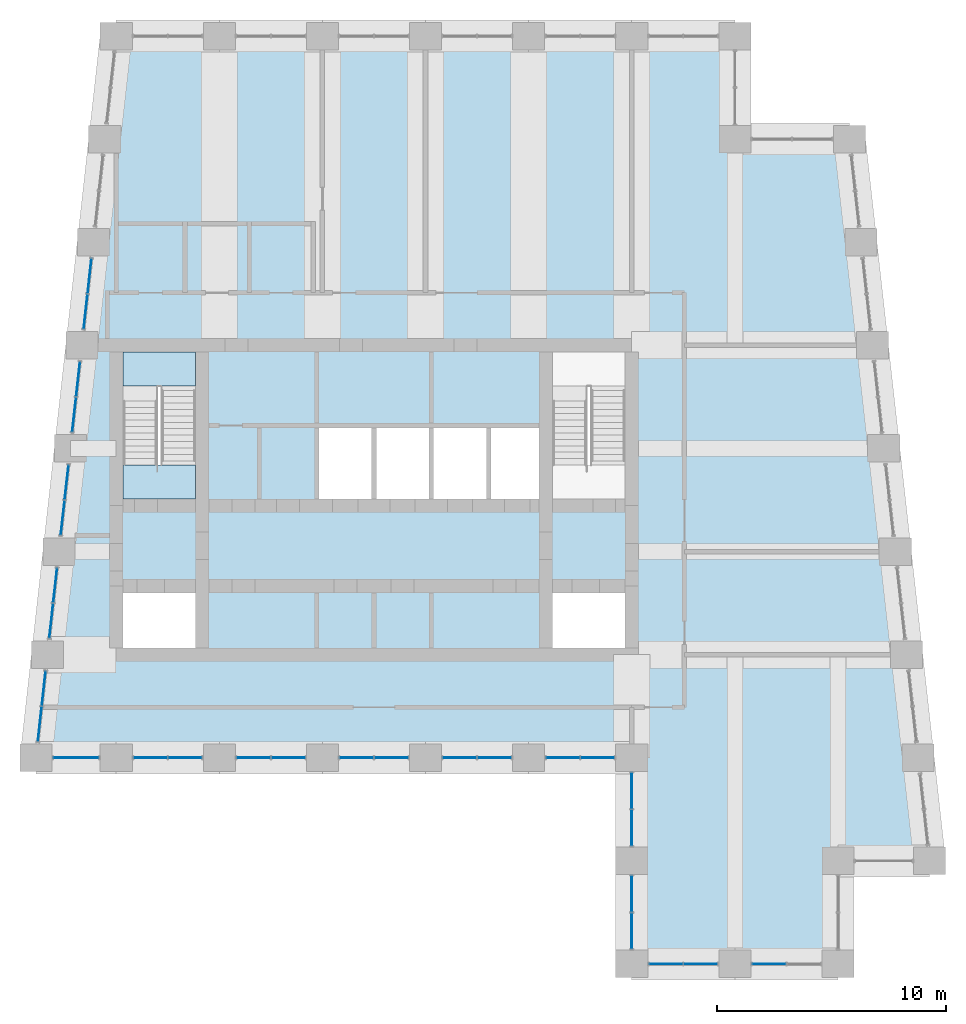
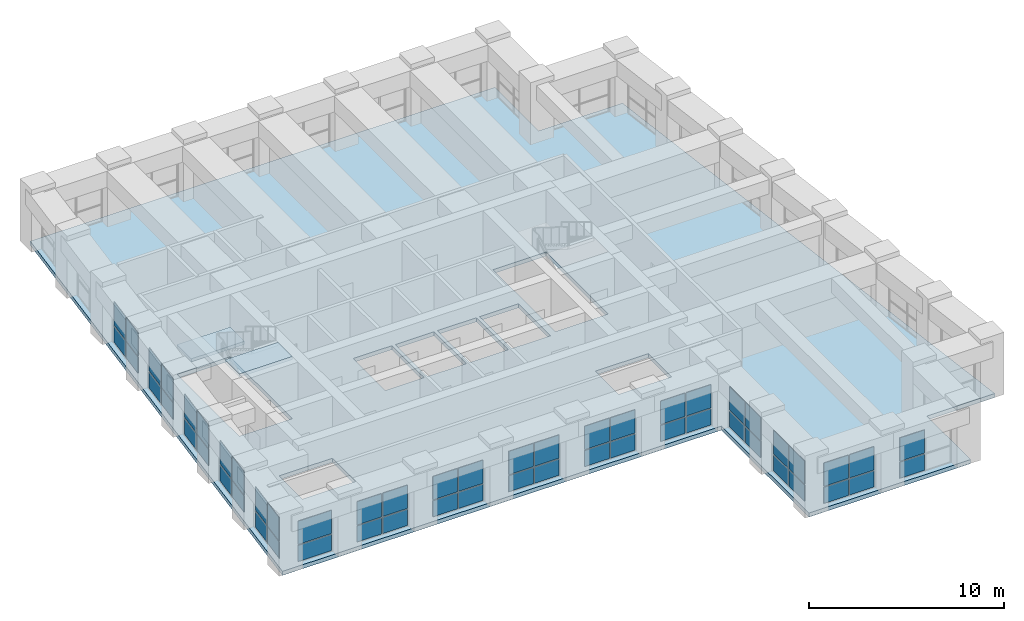
# One storey, part 10 of 15: 56 plates, 3 slabs, 16 elements without a shape of their own.
"""IFC4 building model written with IfcOpenShell, lengths in metres."""

from ifc_helpers import new_model, si_unit, direction, frame, origin, origin_2d, place, context, subcontext, project, spatial, polyline, rectangle, outline, extrude, material, layer, layer_set, type_object, element, aggregate, save


model = new_model("IFC4")

# Units and contexts
model_context = context("Model", 3, precision=1e-05, world=origin(), true_north=direction((0.0, 1.0)))
body_context = subcontext(model_context, "Body", "Model", "MODEL_VIEW")
ifc_project = project(units=[si_unit("LENGTHUNIT", "METRE"), si_unit("AREAUNIT", "SQUARE_METRE"), si_unit("VOLUMEUNIT", "CUBIC_METRE"), si_unit("PLANEANGLEUNIT", "RADIAN"), si_unit("MASSUNIT", "GRAM", prefix="KILO")], contexts=[model_context])

# Site, building, storey
site_placement = place(None, origin())
site = spatial("IfcSite", under=ifc_project, at=site_placement, CompositionType="ELEMENT")
building_placement = place(site_placement, origin())
building = spatial("IfcBuilding", under=site, at=building_placement, Name="Kilele Tower Hotel", CompositionType="ELEMENT")
storey_placement = place(building_placement, frame((0.0, 0.0, 285.800048828125)))
storey = spatial("IfcBuildingStorey", under=building, at=storey_placement, Name="L73", CompositionType="ELEMENT", Elevation=285.800048828125)

# Slab
ifc_material_1 = material(Name="Concrete C60/75", Category="concrete")
ifc_layer_1 = layer(ifc_material_1, 0.25)
ifc_layer_set_1 = layer_set([ifc_layer_1], Name="Concrete C60/75")
slab_type_1 = type_object("IfcSlabType", Name="Floor slab 250", PredefinedType="FLOOR", material=ifc_layer_set_1)
slab_1_placement = place(storey_placement, frame((0.0, 0.0, -0.25)))
element("IfcSlab", 1, at=slab_1_placement, inside=storey, type_object=slab_type_1, Name="Floor slab L73", PredefinedType="FLOOR", context=body_context, shape_type="SweptSolid", body=[
    extrude(outline(polyline([(40.800048828125, 40.800048828125), (40.800048828125, 36.300048828125), (45.7685546875, 36.300048828125), (49.335205078125, 4.199951171875), (45.300048828125, 4.199951171875), (45.300048828125, -0.300048828125), (35.699951171875, -0.300048828125), (35.699951171875, 8.699951171875), (9.664794921875, 8.699951171875), (13.2314453125, 40.800048828125), (40.800048828125, 40.800048828125)]), holes=[polyline([(16.949951171875, 16.199951171875), (13.800048828125, 16.199951171875), (13.800048828125, 13.800048828125), (16.949951171875, 13.800048828125), (16.949951171875, 16.199951171875)]), polyline([(35.699951171875, 16.199951171875), (32.550048828125, 16.199951171875), (32.550048828125, 13.800048828125), (35.699951171875, 13.800048828125), (35.699951171875, 16.199951171875)]), polyline([(24.64990234375, 23.39990234375), (22.35009765625, 23.39990234375), (22.35009765625, 20.10009765625), (24.64990234375, 20.10009765625), (24.64990234375, 23.39990234375)]), polyline([(27.14990234375, 23.39990234375), (24.85009765625, 23.39990234375), (24.85009765625, 20.10009765625), (27.14990234375, 20.10009765625), (27.14990234375, 23.39990234375)]), polyline([(29.64990234375, 23.39990234375), (27.35009765625, 23.39990234375), (27.35009765625, 20.10009765625), (29.64990234375, 20.10009765625), (29.64990234375, 23.39990234375)]), polyline([(32.14990234375, 23.39990234375), (29.85009765625, 23.39990234375), (29.85009765625, 20.10009765625), (32.14990234375, 20.10009765625), (32.14990234375, 23.39990234375)]), polyline([(16.949951171875, 26.699951171875), (13.800048828125, 26.699951171875), (13.800048828125, 20.300048828125), (16.949951171875, 20.300048828125), (16.949951171875, 26.699951171875)]), polyline([(35.699951171875, 26.699951171875), (32.550048828125, 26.699951171875), (32.550048828125, 20.300048828125), (35.699951171875, 20.300048828125), (35.699951171875, 26.699951171875)])]), origin(), (0.0, 0.0, 1.0), 0.25),
])

# Curtain wall, plates
ifc_material_2 = material(Name="Aluminium curtain wall, clear double glazing", Category="aluminium")
curtain_wall_type = type_object("IfcCurtainWallType", Name="Sky bar curtain wall CW-6", PredefinedType="NOTDEFINED", material=ifc_material_2)
curtain_wall_1_placement = place(storey_placement, origin())
curtain_wall_1 = element("IfcCurtainWall", 2, at=curtain_wall_1_placement, inside=storey, type_object=curtain_wall_type, Name="Sky bar curtain wall CW-6 L73", PredefinedType="NOTDEFINED")
ifc_material_3 = material(Name="Clear double glazing", Category="glass")
ifc_layer_2 = layer(ifc_material_3, 0.028076171875)
ifc_layer_set_2 = layer_set([ifc_layer_2], Name="Clear double glazing")
plate_type = type_object("IfcPlateType", Name="Glazed panel 28 CW-6", PredefinedType="CURTAIN_PANEL", material=ifc_layer_set_2)
plate_1_placement = place(storey_placement, frame((11.75, 9.0, 0.06005859375), z_axis=(0.0, 0.0, 1.0), x_axis=(1.0, 0.0, 0.0)))
plate_1 = element("IfcPlate", 3, at=plate_1_placement, type_object=plate_type, Name="CW-6 panel 1.1", PredefinedType="CURTAIN_PANEL", context=body_context, shape_type="SweptSolid", body=[
    extrude(rectangle(XDim=1.97998046875, YDim=0.028076171875, at=origin_2d()), origin(), (0.0, 0.0, 1.0), 1.010009765625),
])
plate_2_placement = place(storey_placement, frame((11.75, 9.0, 1.1298828125), z_axis=(0.0, 0.0, 1.0), x_axis=(1.0, 0.0, 0.0)))
plate_2 = element("IfcPlate", 4, at=plate_2_placement, type_object=plate_type, Name="CW-6 panel 1.2", PredefinedType="CURTAIN_PANEL", context=body_context, shape_type="SweptSolid", body=[
    extrude(rectangle(XDim=1.97998046875, YDim=0.028076171875, at=origin_2d()), origin(), (0.0, 0.0, 1.0), 1.4599609375),
])
aggregate(curtain_wall_1, [plate_1, plate_2])

curtain_wall_2_placement = place(storey_placement, origin())
curtain_wall_2 = element("IfcCurtainWall", 5, at=curtain_wall_2_placement, inside=storey, type_object=curtain_wall_type, Name="Sky bar curtain wall CW-6 L73", PredefinedType="NOTDEFINED")
plate_3_placement = place(storey_placement, frame((14.989990234375, 9.0, 0.06005859375), z_axis=(0.0, 0.0, 1.0), x_axis=(1.0, 0.0, 0.0)))
plate_3 = element("IfcPlate", 6, at=plate_3_placement, type_object=plate_type, Name="CW-6 panel 1.1", PredefinedType="CURTAIN_PANEL", context=body_context, shape_type="SweptSolid", body=[
    extrude(rectangle(XDim=1.4599609375, YDim=0.028076171875, at=origin_2d()), origin(), (0.0, 0.0, 1.0), 1.010009765625),
])
plate_4_placement = place(storey_placement, frame((14.989990234375, 9.0, 1.1298828125), z_axis=(0.0, 0.0, 1.0), x_axis=(1.0, 0.0, 0.0)))
plate_4 = element("IfcPlate", 7, at=plate_4_placement, type_object=plate_type, Name="CW-6 panel 1.2", PredefinedType="CURTAIN_PANEL", context=body_context, shape_type="SweptSolid", body=[
    extrude(rectangle(XDim=1.4599609375, YDim=0.028076171875, at=origin_2d()), origin(), (0.0, 0.0, 1.0), 1.4599609375),
])
plate_5_placement = place(storey_placement, frame((16.510009765625, 9.0, 0.06005859375), z_axis=(0.0, 0.0, 1.0), x_axis=(1.0, 0.0, 0.0)))
plate_5 = element("IfcPlate", 8, at=plate_5_placement, type_object=plate_type, Name="CW-6 panel 2.1", PredefinedType="CURTAIN_PANEL", context=body_context, shape_type="SweptSolid", body=[
    extrude(rectangle(XDim=1.4599609375, YDim=0.028076171875, at=origin_2d()), origin(), (0.0, 0.0, 1.0), 1.010009765625),
])
plate_6_placement = place(storey_placement, frame((16.510009765625, 9.0, 1.1298828125), z_axis=(0.0, 0.0, 1.0), x_axis=(1.0, 0.0, 0.0)))
plate_6 = element("IfcPlate", 9, at=plate_6_placement, type_object=plate_type, Name="CW-6 panel 2.2", PredefinedType="CURTAIN_PANEL", context=body_context, shape_type="SweptSolid", body=[
    extrude(rectangle(XDim=1.4599609375, YDim=0.028076171875, at=origin_2d()), origin(), (0.0, 0.0, 1.0), 1.4599609375),
])
aggregate(curtain_wall_2, [plate_3, plate_4, plate_5, plate_6])

curtain_wall_3_placement = place(storey_placement, origin())
curtain_wall_3 = element("IfcCurtainWall", 10, at=curtain_wall_3_placement, inside=storey, type_object=curtain_wall_type, Name="Sky bar curtain wall CW-6 L73", PredefinedType="NOTDEFINED")
plate_7_placement = place(storey_placement, frame((19.489990234375, 9.0, 0.06005859375), z_axis=(0.0, 0.0, 1.0), x_axis=(1.0, 0.0, 0.0)))
plate_7 = element("IfcPlate", 11, at=plate_7_placement, type_object=plate_type, Name="CW-6 panel 1.1", PredefinedType="CURTAIN_PANEL", context=body_context, shape_type="SweptSolid", body=[
    extrude(rectangle(XDim=1.4599609375, YDim=0.028076171875, at=origin_2d()), origin(), (0.0, 0.0, 1.0), 1.010009765625),
])
plate_8_placement = place(storey_placement, frame((19.489990234375, 9.0, 1.1298828125), z_axis=(0.0, 0.0, 1.0), x_axis=(1.0, 0.0, 0.0)))
plate_8 = element("IfcPlate", 12, at=plate_8_placement, type_object=plate_type, Name="CW-6 panel 1.2", PredefinedType="CURTAIN_PANEL", context=body_context, shape_type="SweptSolid", body=[
    extrude(rectangle(XDim=1.4599609375, YDim=0.028076171875, at=origin_2d()), origin(), (0.0, 0.0, 1.0), 1.4599609375),
])
plate_9_placement = place(storey_placement, frame((21.010009765625, 9.0, 0.06005859375), z_axis=(0.0, 0.0, 1.0), x_axis=(1.0, 0.0, 0.0)))
plate_9 = element("IfcPlate", 13, at=plate_9_placement, type_object=plate_type, Name="CW-6 panel 2.1", PredefinedType="CURTAIN_PANEL", context=body_context, shape_type="SweptSolid", body=[
    extrude(rectangle(XDim=1.4599609375, YDim=0.028076171875, at=origin_2d()), origin(), (0.0, 0.0, 1.0), 1.010009765625),
])
plate_10_placement = place(storey_placement, frame((21.010009765625, 9.0, 1.1298828125), z_axis=(0.0, 0.0, 1.0), x_axis=(1.0, 0.0, 0.0)))
plate_10 = element("IfcPlate", 14, at=plate_10_placement, type_object=plate_type, Name="CW-6 panel 2.2", PredefinedType="CURTAIN_PANEL", context=body_context, shape_type="SweptSolid", body=[
    extrude(rectangle(XDim=1.4599609375, YDim=0.028076171875, at=origin_2d()), origin(), (0.0, 0.0, 1.0), 1.4599609375),
])
aggregate(curtain_wall_3, [plate_7, plate_8, plate_9, plate_10])

curtain_wall_4_placement = place(storey_placement, origin())
curtain_wall_4 = element("IfcCurtainWall", 15, at=curtain_wall_4_placement, inside=storey, type_object=curtain_wall_type, Name="Sky bar curtain wall CW-6 L73", PredefinedType="NOTDEFINED")
plate_11_placement = place(storey_placement, frame((23.989990234375, 9.0, 0.06005859375), z_axis=(0.0, 0.0, 1.0), x_axis=(1.0, 0.0, 0.0)))
plate_11 = element("IfcPlate", 16, at=plate_11_placement, type_object=plate_type, Name="CW-6 panel 1.1", PredefinedType="CURTAIN_PANEL", context=body_context, shape_type="SweptSolid", body=[
    extrude(rectangle(XDim=1.4599609375, YDim=0.028076171875, at=origin_2d()), origin(), (0.0, 0.0, 1.0), 1.010009765625),
])
plate_12_placement = place(storey_placement, frame((23.989990234375, 9.0, 1.1298828125), z_axis=(0.0, 0.0, 1.0), x_axis=(1.0, 0.0, 0.0)))
plate_12 = element("IfcPlate", 17, at=plate_12_placement, type_object=plate_type, Name="CW-6 panel 1.2", PredefinedType="CURTAIN_PANEL", context=body_context, shape_type="SweptSolid", body=[
    extrude(rectangle(XDim=1.4599609375, YDim=0.028076171875, at=origin_2d()), origin(), (0.0, 0.0, 1.0), 1.4599609375),
])
plate_13_placement = place(storey_placement, frame((25.510009765625, 9.0, 0.06005859375), z_axis=(0.0, 0.0, 1.0), x_axis=(1.0, 0.0, 0.0)))
plate_13 = element("IfcPlate", 18, at=plate_13_placement, type_object=plate_type, Name="CW-6 panel 2.1", PredefinedType="CURTAIN_PANEL", context=body_context, shape_type="SweptSolid", body=[
    extrude(rectangle(XDim=1.4599609375, YDim=0.028076171875, at=origin_2d()), origin(), (0.0, 0.0, 1.0), 1.010009765625),
])
plate_14_placement = place(storey_placement, frame((25.510009765625, 9.0, 1.1298828125), z_axis=(0.0, 0.0, 1.0), x_axis=(1.0, 0.0, 0.0)))
plate_14 = element("IfcPlate", 19, at=plate_14_placement, type_object=plate_type, Name="CW-6 panel 2.2", PredefinedType="CURTAIN_PANEL", context=body_context, shape_type="SweptSolid", body=[
    extrude(rectangle(XDim=1.4599609375, YDim=0.028076171875, at=origin_2d()), origin(), (0.0, 0.0, 1.0), 1.4599609375),
])
aggregate(curtain_wall_4, [plate_11, plate_12, plate_13, plate_14])

curtain_wall_5_placement = place(storey_placement, origin())
curtain_wall_5 = element("IfcCurtainWall", 20, at=curtain_wall_5_placement, inside=storey, type_object=curtain_wall_type, Name="Sky bar curtain wall CW-6 L73", PredefinedType="NOTDEFINED")
plate_15_placement = place(storey_placement, frame((28.489990234375, 9.0, 0.06005859375), z_axis=(0.0, 0.0, 1.0), x_axis=(1.0, 0.0, 0.0)))
plate_15 = element("IfcPlate", 21, at=plate_15_placement, type_object=plate_type, Name="CW-6 panel 1.1", PredefinedType="CURTAIN_PANEL", context=body_context, shape_type="SweptSolid", body=[
    extrude(rectangle(XDim=1.4599609375, YDim=0.028076171875, at=origin_2d()), origin(), (0.0, 0.0, 1.0), 1.010009765625),
])
plate_16_placement = place(storey_placement, frame((28.489990234375, 9.0, 1.1298828125), z_axis=(0.0, 0.0, 1.0), x_axis=(1.0, 0.0, 0.0)))
plate_16 = element("IfcPlate", 22, at=plate_16_placement, type_object=plate_type, Name="CW-6 panel 1.2", PredefinedType="CURTAIN_PANEL", context=body_context, shape_type="SweptSolid", body=[
    extrude(rectangle(XDim=1.4599609375, YDim=0.028076171875, at=origin_2d()), origin(), (0.0, 0.0, 1.0), 1.4599609375),
])
plate_17_placement = place(storey_placement, frame((30.010009765625, 9.0, 0.06005859375), z_axis=(0.0, 0.0, 1.0), x_axis=(1.0, 0.0, 0.0)))
plate_17 = element("IfcPlate", 23, at=plate_17_placement, type_object=plate_type, Name="CW-6 panel 2.1", PredefinedType="CURTAIN_PANEL", context=body_context, shape_type="SweptSolid", body=[
    extrude(rectangle(XDim=1.4599609375, YDim=0.028076171875, at=origin_2d()), origin(), (0.0, 0.0, 1.0), 1.010009765625),
])
plate_18_placement = place(storey_placement, frame((30.010009765625, 9.0, 1.1298828125), z_axis=(0.0, 0.0, 1.0), x_axis=(1.0, 0.0, 0.0)))
plate_18 = element("IfcPlate", 24, at=plate_18_placement, type_object=plate_type, Name="CW-6 panel 2.2", PredefinedType="CURTAIN_PANEL", context=body_context, shape_type="SweptSolid", body=[
    extrude(rectangle(XDim=1.4599609375, YDim=0.028076171875, at=origin_2d()), origin(), (0.0, 0.0, 1.0), 1.4599609375),
])
aggregate(curtain_wall_5, [plate_15, plate_16, plate_17, plate_18])

curtain_wall_6_placement = place(storey_placement, origin())
curtain_wall_6 = element("IfcCurtainWall", 25, at=curtain_wall_6_placement, inside=storey, type_object=curtain_wall_type, Name="Sky bar curtain wall CW-6 L73", PredefinedType="NOTDEFINED")
plate_19_placement = place(storey_placement, frame((32.989990234375, 9.0, 0.06005859375), z_axis=(0.0, 0.0, 1.0), x_axis=(1.0, 0.0, 0.0)))
plate_19 = element("IfcPlate", 26, at=plate_19_placement, type_object=plate_type, Name="CW-6 panel 1.1", PredefinedType="CURTAIN_PANEL", context=body_context, shape_type="SweptSolid", body=[
    extrude(rectangle(XDim=1.4599609375, YDim=0.028076171875, at=origin_2d()), origin(), (0.0, 0.0, 1.0), 1.010009765625),
])
plate_20_placement = place(storey_placement, frame((32.989990234375, 9.0, 1.1298828125), z_axis=(0.0, 0.0, 1.0), x_axis=(1.0, 0.0, 0.0)))
plate_20 = element("IfcPlate", 27, at=plate_20_placement, type_object=plate_type, Name="CW-6 panel 1.2", PredefinedType="CURTAIN_PANEL", context=body_context, shape_type="SweptSolid", body=[
    extrude(rectangle(XDim=1.4599609375, YDim=0.028076171875, at=origin_2d()), origin(), (0.0, 0.0, 1.0), 1.4599609375),
])
plate_21_placement = place(storey_placement, frame((34.510009765625, 9.0, 0.06005859375), z_axis=(0.0, 0.0, 1.0), x_axis=(1.0, 0.0, 0.0)))
plate_21 = element("IfcPlate", 28, at=plate_21_placement, type_object=plate_type, Name="CW-6 panel 2.1", PredefinedType="CURTAIN_PANEL", context=body_context, shape_type="SweptSolid", body=[
    extrude(rectangle(XDim=1.4599609375, YDim=0.028076171875, at=origin_2d()), origin(), (0.0, 0.0, 1.0), 1.010009765625),
])
plate_22_placement = place(storey_placement, frame((34.510009765625, 9.0, 1.1298828125), z_axis=(0.0, 0.0, 1.0), x_axis=(1.0, 0.0, 0.0)))
plate_22 = element("IfcPlate", 29, at=plate_22_placement, type_object=plate_type, Name="CW-6 panel 2.2", PredefinedType="CURTAIN_PANEL", context=body_context, shape_type="SweptSolid", body=[
    extrude(rectangle(XDim=1.4599609375, YDim=0.028076171875, at=origin_2d()), origin(), (0.0, 0.0, 1.0), 1.4599609375),
])
aggregate(curtain_wall_6, [plate_19, plate_20, plate_21, plate_22])

curtain_wall_7_placement = place(storey_placement, origin())
curtain_wall_7 = element("IfcCurtainWall", 30, at=curtain_wall_7_placement, inside=storey, type_object=curtain_wall_type, Name="Sky bar curtain wall CW-6 L73", PredefinedType="NOTDEFINED")
plate_23_placement = place(storey_placement, frame((36.0, 7.56005859375, 0.06005859375), z_axis=(0.0, 0.0, 1.0), x_axis=(0.0, -1.0, 0.0)))
plate_23 = element("IfcPlate", 31, at=plate_23_placement, type_object=plate_type, Name="CW-6 panel 1.1", PredefinedType="CURTAIN_PANEL", context=body_context, shape_type="SweptSolid", body=[
    extrude(rectangle(XDim=1.56005859375, YDim=0.028076171875, at=origin_2d()), origin(), (0.0, 0.0, 1.0), 1.010009765625),
])
plate_24_placement = place(storey_placement, frame((36.0, 7.56005859375, 1.1298828125), z_axis=(0.0, 0.0, 1.0), x_axis=(0.0, -1.0, 0.0)))
plate_24 = element("IfcPlate", 32, at=plate_24_placement, type_object=plate_type, Name="CW-6 panel 1.2", PredefinedType="CURTAIN_PANEL", context=body_context, shape_type="SweptSolid", body=[
    extrude(rectangle(XDim=1.56005859375, YDim=0.028076171875, at=origin_2d()), origin(), (0.0, 0.0, 1.0), 1.4599609375),
])
plate_25_placement = place(storey_placement, frame((36.0, 5.93994140625, 0.06005859375), z_axis=(0.0, 0.0, 1.0), x_axis=(0.0, -1.0, 0.0)))
plate_25 = element("IfcPlate", 33, at=plate_25_placement, type_object=plate_type, Name="CW-6 panel 2.1", PredefinedType="CURTAIN_PANEL", context=body_context, shape_type="SweptSolid", body=[
    extrude(rectangle(XDim=1.56005859375, YDim=0.028076171875, at=origin_2d()), origin(), (0.0, 0.0, 1.0), 1.010009765625),
])
plate_26_placement = place(storey_placement, frame((36.0, 5.93994140625, 1.1298828125), z_axis=(0.0, 0.0, 1.0), x_axis=(0.0, -1.0, 0.0)))
plate_26 = element("IfcPlate", 34, at=plate_26_placement, type_object=plate_type, Name="CW-6 panel 2.2", PredefinedType="CURTAIN_PANEL", context=body_context, shape_type="SweptSolid", body=[
    extrude(rectangle(XDim=1.56005859375, YDim=0.028076171875, at=origin_2d()), origin(), (0.0, 0.0, 1.0), 1.4599609375),
])
aggregate(curtain_wall_7, [plate_23, plate_24, plate_25, plate_26])

curtain_wall_8_placement = place(storey_placement, origin())
curtain_wall_8 = element("IfcCurtainWall", 35, at=curtain_wall_8_placement, inside=storey, type_object=curtain_wall_type, Name="Sky bar curtain wall CW-6 L73", PredefinedType="NOTDEFINED")
plate_27_placement = place(storey_placement, frame((36.0, 3.06005859375, 0.06005859375), z_axis=(0.0, 0.0, 1.0), x_axis=(0.0, -1.0, 0.0)))
plate_27 = element("IfcPlate", 36, at=plate_27_placement, type_object=plate_type, Name="CW-6 panel 1.1", PredefinedType="CURTAIN_PANEL", context=body_context, shape_type="SweptSolid", body=[
    extrude(rectangle(XDim=1.56005859375, YDim=0.028076171875, at=origin_2d()), origin(), (0.0, 0.0, 1.0), 1.010009765625),
])
plate_28_placement = place(storey_placement, frame((36.0, 3.06005859375, 1.1298828125), z_axis=(0.0, 0.0, 1.0), x_axis=(0.0, -1.0, 0.0)))
plate_28 = element("IfcPlate", 37, at=plate_28_placement, type_object=plate_type, Name="CW-6 panel 1.2", PredefinedType="CURTAIN_PANEL", context=body_context, shape_type="SweptSolid", body=[
    extrude(rectangle(XDim=1.56005859375, YDim=0.028076171875, at=origin_2d()), origin(), (0.0, 0.0, 1.0), 1.4599609375),
])
plate_29_placement = place(storey_placement, frame((36.0, 1.43994140625, 0.06005859375), z_axis=(0.0, 0.0, 1.0), x_axis=(0.0, -1.0, 0.0)))
plate_29 = element("IfcPlate", 38, at=plate_29_placement, type_object=plate_type, Name="CW-6 panel 2.1", PredefinedType="CURTAIN_PANEL", context=body_context, shape_type="SweptSolid", body=[
    extrude(rectangle(XDim=1.56005859375, YDim=0.028076171875, at=origin_2d()), origin(), (0.0, 0.0, 1.0), 1.010009765625),
])
plate_30_placement = place(storey_placement, frame((36.0, 1.43994140625, 1.1298828125), z_axis=(0.0, 0.0, 1.0), x_axis=(0.0, -1.0, 0.0)))
plate_30 = element("IfcPlate", 39, at=plate_30_placement, type_object=plate_type, Name="CW-6 panel 2.2", PredefinedType="CURTAIN_PANEL", context=body_context, shape_type="SweptSolid", body=[
    extrude(rectangle(XDim=1.56005859375, YDim=0.028076171875, at=origin_2d()), origin(), (0.0, 0.0, 1.0), 1.4599609375),
])
aggregate(curtain_wall_8, [plate_27, plate_28, plate_29, plate_30])

curtain_wall_9_placement = place(storey_placement, origin())
curtain_wall_9 = element("IfcCurtainWall", 40, at=curtain_wall_9_placement, inside=storey, type_object=curtain_wall_type, Name="Sky bar curtain wall CW-6 L73", PredefinedType="NOTDEFINED")
plate_31_placement = place(storey_placement, frame((37.489990234375, 0.0, 0.06005859375), z_axis=(0.0, 0.0, 1.0), x_axis=(1.0, 0.0, 0.0)))
plate_31 = element("IfcPlate", 41, at=plate_31_placement, type_object=plate_type, Name="CW-6 panel 1.1", PredefinedType="CURTAIN_PANEL", context=body_context, shape_type="SweptSolid", body=[
    extrude(rectangle(XDim=1.4599609375, YDim=0.028076171875, at=origin_2d()), origin(), (0.0, 0.0, 1.0), 1.010009765625),
])
plate_32_placement = place(storey_placement, frame((37.489990234375, 0.0, 1.1298828125), z_axis=(0.0, 0.0, 1.0), x_axis=(1.0, 0.0, 0.0)))
plate_32 = element("IfcPlate", 42, at=plate_32_placement, type_object=plate_type, Name="CW-6 panel 1.2", PredefinedType="CURTAIN_PANEL", context=body_context, shape_type="SweptSolid", body=[
    extrude(rectangle(XDim=1.4599609375, YDim=0.028076171875, at=origin_2d()), origin(), (0.0, 0.0, 1.0), 1.4599609375),
])
plate_33_placement = place(storey_placement, frame((39.010009765625, 0.0, 0.06005859375), z_axis=(0.0, 0.0, 1.0), x_axis=(1.0, 0.0, 0.0)))
plate_33 = element("IfcPlate", 43, at=plate_33_placement, type_object=plate_type, Name="CW-6 panel 2.1", PredefinedType="CURTAIN_PANEL", context=body_context, shape_type="SweptSolid", body=[
    extrude(rectangle(XDim=1.4599609375, YDim=0.028076171875, at=origin_2d()), origin(), (0.0, 0.0, 1.0), 1.010009765625),
])
plate_34_placement = place(storey_placement, frame((39.010009765625, 0.0, 1.1298828125), z_axis=(0.0, 0.0, 1.0), x_axis=(1.0, 0.0, 0.0)))
plate_34 = element("IfcPlate", 44, at=plate_34_placement, type_object=plate_type, Name="CW-6 panel 2.2", PredefinedType="CURTAIN_PANEL", context=body_context, shape_type="SweptSolid", body=[
    extrude(rectangle(XDim=1.4599609375, YDim=0.028076171875, at=origin_2d()), origin(), (0.0, 0.0, 1.0), 1.4599609375),
])
aggregate(curtain_wall_9, [plate_31, plate_32, plate_33, plate_34])

curtain_wall_10_placement = place(storey_placement, origin())
curtain_wall_10 = element("IfcCurtainWall", 45, at=curtain_wall_10_placement, inside=storey, type_object=curtain_wall_type, Name="Sky bar curtain wall CW-6 L73", PredefinedType="NOTDEFINED")
plate_35_placement = place(storey_placement, frame((41.989990234375, 0.0, 0.06005859375), z_axis=(0.0, 0.0, 1.0), x_axis=(1.0, 0.0, 0.0)))
plate_35 = element("IfcPlate", 46, at=plate_35_placement, type_object=plate_type, Name="CW-6 panel 1.1", PredefinedType="CURTAIN_PANEL", context=body_context, shape_type="SweptSolid", body=[
    extrude(rectangle(XDim=1.4599609375, YDim=0.028076171875, at=origin_2d()), origin(), (0.0, 0.0, 1.0), 1.010009765625),
])
plate_36_placement = place(storey_placement, frame((41.989990234375, 0.0, 1.1298828125), z_axis=(0.0, 0.0, 1.0), x_axis=(1.0, 0.0, 0.0)))
plate_36 = element("IfcPlate", 47, at=plate_36_placement, type_object=plate_type, Name="CW-6 panel 1.2", PredefinedType="CURTAIN_PANEL", context=body_context, shape_type="SweptSolid", body=[
    extrude(rectangle(XDim=1.4599609375, YDim=0.028076171875, at=origin_2d()), origin(), (0.0, 0.0, 1.0), 1.4599609375),
])
aggregate(curtain_wall_10, [plate_35, plate_36])

curtain_wall_11_placement = place(storey_placement, origin())
curtain_wall_11 = element("IfcCurtainWall", 48, at=curtain_wall_11_placement, inside=storey, type_object=curtain_wall_type, Name="Sky bar curtain wall CW-6 L73", PredefinedType="NOTDEFINED")
plate_37_placement = place(storey_placement, frame((12.336181640625, 30.025390625, 0.06005859375), z_axis=(0.0, 0.0, 1.0), x_axis=(-0.110431526007, -0.993883734681, 0.0)))
plate_37 = element("IfcPlate", 49, at=plate_37_placement, type_object=plate_type, Name="CW-6 panel 1.1", PredefinedType="CURTAIN_PANEL", context=body_context, shape_type="SweptSolid", body=[
    extrude(rectangle(XDim=1.500244140625, YDim=0.028076171875, at=origin_2d()), origin(), (0.0, 0.0, 1.0), 1.010009765625),
])
plate_38_placement = place(storey_placement, frame((12.336181640625, 30.025390625, 1.1298828125), z_axis=(0.0, 0.0, 1.0), x_axis=(-0.110431526007, -0.993883734681, 0.0)))
plate_38 = element("IfcPlate", 50, at=plate_38_placement, type_object=plate_type, Name="CW-6 panel 1.2", PredefinedType="CURTAIN_PANEL", context=body_context, shape_type="SweptSolid", body=[
    extrude(rectangle(XDim=1.500244140625, YDim=0.028076171875, at=origin_2d()), origin(), (0.0, 0.0, 1.0), 1.4599609375),
])
plate_39_placement = place(storey_placement, frame((12.163818359375, 28.474609375, 0.06005859375), z_axis=(0.0, 0.0, 1.0), x_axis=(-0.110431526007, -0.993883734681, 0.0)))
plate_39 = element("IfcPlate", 51, at=plate_39_placement, type_object=plate_type, Name="CW-6 panel 2.1", PredefinedType="CURTAIN_PANEL", context=body_context, shape_type="SweptSolid", body=[
    extrude(rectangle(XDim=1.500244140625, YDim=0.028076171875, at=origin_2d()), origin(), (0.0, 0.0, 1.0), 1.010009765625),
])
plate_40_placement = place(storey_placement, frame((12.163818359375, 28.474609375, 1.1298828125), z_axis=(0.0, 0.0, 1.0), x_axis=(-0.110431526007, -0.993883734681, 0.0)))
plate_40 = element("IfcPlate", 52, at=plate_40_placement, type_object=plate_type, Name="CW-6 panel 2.2", PredefinedType="CURTAIN_PANEL", context=body_context, shape_type="SweptSolid", body=[
    extrude(rectangle(XDim=1.500244140625, YDim=0.028076171875, at=origin_2d()), origin(), (0.0, 0.0, 1.0), 1.4599609375),
])
aggregate(curtain_wall_11, [plate_37, plate_38, plate_39, plate_40])

curtain_wall_12_placement = place(storey_placement, origin())
curtain_wall_12 = element("IfcCurtainWall", 53, at=curtain_wall_12_placement, inside=storey, type_object=curtain_wall_type, Name="Sky bar curtain wall CW-6 L73", PredefinedType="NOTDEFINED")
plate_41_placement = place(storey_placement, frame((11.836181640625, 25.525390625, 0.06005859375), z_axis=(0.0, 0.0, 1.0), x_axis=(-0.110431526007, -0.993883734681, 0.0)))
plate_41 = element("IfcPlate", 54, at=plate_41_placement, type_object=plate_type, Name="CW-6 panel 1.1", PredefinedType="CURTAIN_PANEL", context=body_context, shape_type="SweptSolid", body=[
    extrude(rectangle(XDim=1.500244140625, YDim=0.028076171875, at=origin_2d()), origin(), (0.0, 0.0, 1.0), 1.010009765625),
])
plate_42_placement = place(storey_placement, frame((11.836181640625, 25.525390625, 1.1298828125), z_axis=(0.0, 0.0, 1.0), x_axis=(-0.110431526007, -0.993883734681, 0.0)))
plate_42 = element("IfcPlate", 55, at=plate_42_placement, type_object=plate_type, Name="CW-6 panel 1.2", PredefinedType="CURTAIN_PANEL", context=body_context, shape_type="SweptSolid", body=[
    extrude(rectangle(XDim=1.500244140625, YDim=0.028076171875, at=origin_2d()), origin(), (0.0, 0.0, 1.0), 1.4599609375),
])
plate_43_placement = place(storey_placement, frame((11.663818359375, 23.974609375, 0.06005859375), z_axis=(0.0, 0.0, 1.0), x_axis=(-0.110431526007, -0.993883734681, 0.0)))
plate_43 = element("IfcPlate", 56, at=plate_43_placement, type_object=plate_type, Name="CW-6 panel 2.1", PredefinedType="CURTAIN_PANEL", context=body_context, shape_type="SweptSolid", body=[
    extrude(rectangle(XDim=1.500244140625, YDim=0.028076171875, at=origin_2d()), origin(), (0.0, 0.0, 1.0), 1.010009765625),
])
plate_44_placement = place(storey_placement, frame((11.663818359375, 23.974609375, 1.1298828125), z_axis=(0.0, 0.0, 1.0), x_axis=(-0.110431526007, -0.993883734681, 0.0)))
plate_44 = element("IfcPlate", 57, at=plate_44_placement, type_object=plate_type, Name="CW-6 panel 2.2", PredefinedType="CURTAIN_PANEL", context=body_context, shape_type="SweptSolid", body=[
    extrude(rectangle(XDim=1.500244140625, YDim=0.028076171875, at=origin_2d()), origin(), (0.0, 0.0, 1.0), 1.4599609375),
])
aggregate(curtain_wall_12, [plate_41, plate_42, plate_43, plate_44])

curtain_wall_13_placement = place(storey_placement, origin())
curtain_wall_13 = element("IfcCurtainWall", 58, at=curtain_wall_13_placement, inside=storey, type_object=curtain_wall_type, Name="Sky bar curtain wall CW-6 L73", PredefinedType="NOTDEFINED")
plate_45_placement = place(storey_placement, frame((11.336181640625, 21.025390625, 0.06005859375), z_axis=(0.0, 0.0, 1.0), x_axis=(-0.110431526007, -0.993883734681, 0.0)))
plate_45 = element("IfcPlate", 59, at=plate_45_placement, type_object=plate_type, Name="CW-6 panel 1.1", PredefinedType="CURTAIN_PANEL", context=body_context, shape_type="SweptSolid", body=[
    extrude(rectangle(XDim=1.500244140625, YDim=0.028076171875, at=origin_2d()), origin(), (0.0, 0.0, 1.0), 1.010009765625),
])
plate_46_placement = place(storey_placement, frame((11.336181640625, 21.025390625, 1.1298828125), z_axis=(0.0, 0.0, 1.0), x_axis=(-0.110431526007, -0.993883734681, 0.0)))
plate_46 = element("IfcPlate", 60, at=plate_46_placement, type_object=plate_type, Name="CW-6 panel 1.2", PredefinedType="CURTAIN_PANEL", context=body_context, shape_type="SweptSolid", body=[
    extrude(rectangle(XDim=1.500244140625, YDim=0.028076171875, at=origin_2d()), origin(), (0.0, 0.0, 1.0), 1.4599609375),
])
plate_47_placement = place(storey_placement, frame((11.163818359375, 19.474609375, 0.06005859375), z_axis=(0.0, 0.0, 1.0), x_axis=(-0.110431526007, -0.993883734681, 0.0)))
plate_47 = element("IfcPlate", 61, at=plate_47_placement, type_object=plate_type, Name="CW-6 panel 2.1", PredefinedType="CURTAIN_PANEL", context=body_context, shape_type="SweptSolid", body=[
    extrude(rectangle(XDim=1.500244140625, YDim=0.028076171875, at=origin_2d()), origin(), (0.0, 0.0, 1.0), 1.010009765625),
])
plate_48_placement = place(storey_placement, frame((11.163818359375, 19.474609375, 1.1298828125), z_axis=(0.0, 0.0, 1.0), x_axis=(-0.110431526007, -0.993883734681, 0.0)))
plate_48 = element("IfcPlate", 62, at=plate_48_placement, type_object=plate_type, Name="CW-6 panel 2.2", PredefinedType="CURTAIN_PANEL", context=body_context, shape_type="SweptSolid", body=[
    extrude(rectangle(XDim=1.500244140625, YDim=0.028076171875, at=origin_2d()), origin(), (0.0, 0.0, 1.0), 1.4599609375),
])
aggregate(curtain_wall_13, [plate_45, plate_46, plate_47, plate_48])

curtain_wall_14_placement = place(storey_placement, origin())
curtain_wall_14 = element("IfcCurtainWall", 63, at=curtain_wall_14_placement, inside=storey, type_object=curtain_wall_type, Name="Sky bar curtain wall CW-6 L73", PredefinedType="NOTDEFINED")
plate_49_placement = place(storey_placement, frame((10.836181640625, 16.525390625, 0.06005859375), z_axis=(0.0, 0.0, 1.0), x_axis=(-0.110431526007, -0.993883734681, 0.0)))
plate_49 = element("IfcPlate", 64, at=plate_49_placement, type_object=plate_type, Name="CW-6 panel 1.1", PredefinedType="CURTAIN_PANEL", context=body_context, shape_type="SweptSolid", body=[
    extrude(rectangle(XDim=1.500244140625, YDim=0.028076171875, at=origin_2d()), origin(), (0.0, 0.0, 1.0), 1.010009765625),
])
plate_50_placement = place(storey_placement, frame((10.836181640625, 16.525390625, 1.1298828125), z_axis=(0.0, 0.0, 1.0), x_axis=(-0.110431526007, -0.993883734681, 0.0)))
plate_50 = element("IfcPlate", 65, at=plate_50_placement, type_object=plate_type, Name="CW-6 panel 1.2", PredefinedType="CURTAIN_PANEL", context=body_context, shape_type="SweptSolid", body=[
    extrude(rectangle(XDim=1.500244140625, YDim=0.028076171875, at=origin_2d()), origin(), (0.0, 0.0, 1.0), 1.4599609375),
])
plate_51_placement = place(storey_placement, frame((10.663818359375, 14.974609375, 0.06005859375), z_axis=(0.0, 0.0, 1.0), x_axis=(-0.110431526007, -0.993883734681, 0.0)))
plate_51 = element("IfcPlate", 66, at=plate_51_placement, type_object=plate_type, Name="CW-6 panel 2.1", PredefinedType="CURTAIN_PANEL", context=body_context, shape_type="SweptSolid", body=[
    extrude(rectangle(XDim=1.500244140625, YDim=0.028076171875, at=origin_2d()), origin(), (0.0, 0.0, 1.0), 1.010009765625),
])
plate_52_placement = place(storey_placement, frame((10.663818359375, 14.974609375, 1.1298828125), z_axis=(0.0, 0.0, 1.0), x_axis=(-0.110431526007, -0.993883734681, 0.0)))
plate_52 = element("IfcPlate", 67, at=plate_52_placement, type_object=plate_type, Name="CW-6 panel 2.2", PredefinedType="CURTAIN_PANEL", context=body_context, shape_type="SweptSolid", body=[
    extrude(rectangle(XDim=1.500244140625, YDim=0.028076171875, at=origin_2d()), origin(), (0.0, 0.0, 1.0), 1.4599609375),
])
aggregate(curtain_wall_14, [plate_49, plate_50, plate_51, plate_52])

curtain_wall_15_placement = place(storey_placement, origin())
curtain_wall_15 = element("IfcCurtainWall", 68, at=curtain_wall_15_placement, inside=storey, type_object=curtain_wall_type, Name="Sky bar curtain wall CW-6 L73", PredefinedType="NOTDEFINED")
plate_53_placement = place(storey_placement, frame((10.336181640625, 12.025390625, 0.06005859375), z_axis=(0.0, 0.0, 1.0), x_axis=(-0.110431526007, -0.993883734681, 0.0)))
plate_53 = element("IfcPlate", 69, at=plate_53_placement, type_object=plate_type, Name="CW-6 panel 1.1", PredefinedType="CURTAIN_PANEL", context=body_context, shape_type="SweptSolid", body=[
    extrude(rectangle(XDim=1.500244140625, YDim=0.028076171875, at=origin_2d()), origin(), (0.0, 0.0, 1.0), 1.010009765625),
])
plate_54_placement = place(storey_placement, frame((10.336181640625, 12.025390625, 1.1298828125), z_axis=(0.0, 0.0, 1.0), x_axis=(-0.110431526007, -0.993883734681, 0.0)))
plate_54 = element("IfcPlate", 70, at=plate_54_placement, type_object=plate_type, Name="CW-6 panel 1.2", PredefinedType="CURTAIN_PANEL", context=body_context, shape_type="SweptSolid", body=[
    extrude(rectangle(XDim=1.500244140625, YDim=0.028076171875, at=origin_2d()), origin(), (0.0, 0.0, 1.0), 1.4599609375),
])
plate_55_placement = place(storey_placement, frame((10.163818359375, 10.474609375, 0.06005859375), z_axis=(0.0, 0.0, 1.0), x_axis=(-0.110431526007, -0.993883734681, 0.0)))
plate_55 = element("IfcPlate", 71, at=plate_55_placement, type_object=plate_type, Name="CW-6 panel 2.1", PredefinedType="CURTAIN_PANEL", context=body_context, shape_type="SweptSolid", body=[
    extrude(rectangle(XDim=1.500244140625, YDim=0.028076171875, at=origin_2d()), origin(), (0.0, 0.0, 1.0), 1.010009765625),
])
plate_56_placement = place(storey_placement, frame((10.163818359375, 10.474609375, 1.1298828125), z_axis=(0.0, 0.0, 1.0), x_axis=(-0.110431526007, -0.993883734681, 0.0)))
plate_56 = element("IfcPlate", 72, at=plate_56_placement, type_object=plate_type, Name="CW-6 panel 2.2", PredefinedType="CURTAIN_PANEL", context=body_context, shape_type="SweptSolid", body=[
    extrude(rectangle(XDim=1.500244140625, YDim=0.028076171875, at=origin_2d()), origin(), (0.0, 0.0, 1.0), 1.4599609375),
])
aggregate(curtain_wall_15, [plate_53, plate_54, plate_55, plate_56])

# Stair, slabs
ifc_material_4 = material(Name="Precast concrete C40/50", Category="concrete")
stair_type = type_object("IfcStairType", Name="Stair 1475 x 3900", PredefinedType="HALF_TURN_STAIR", material=ifc_material_4)
stair_placement = place(storey_placement, origin())
stair = element("IfcStair", 73, at=stair_placement, inside=storey, type_object=stair_type, Name="Stair 1 L73", PredefinedType="HALF_TURN_STAIR")
ifc_material_5 = material(Name="Precast concrete C40/50", Category="concrete")
ifc_layer_3 = layer(ifc_material_5, 0.199951171875)
ifc_layer_set_3 = layer_set([ifc_layer_3], Name="Precast concrete C40/50")
slab_type_2 = type_object("IfcSlabType", Name="Stair landing 200", PredefinedType="LANDING", material=ifc_layer_set_3)
slab_2_placement = place(storey_placement, frame((0.0, 0.0, 1.6650390625)))
slab_2 = element("IfcSlab", 74, at=slab_2_placement, type_object=slab_type_2, Name="ST1 landing 1", PredefinedType="LANDING", context=body_context, shape_type="SweptSolid", body=[
    extrude(outline(polyline([(13.800048828125, 25.22509765625), (16.949951171875, 25.22509765625), (16.949951171875, 26.699951171875), (13.800048828125, 26.699951171875), (13.800048828125, 25.22509765625)])), origin(), (0.0, 0.0, 1.0), 0.2001953125),
])
slab_3_placement = place(storey_placement, frame((0.0, 0.0, 3.699951171875)))
slab_3 = element("IfcSlab", 75, at=slab_3_placement, type_object=slab_type_2, Name="ST1 landing 2", PredefinedType="LANDING", context=body_context, shape_type="SweptSolid", body=[
    extrude(outline(polyline([(13.800048828125, 20.300048828125), (16.949951171875, 20.300048828125), (16.949951171875, 21.77490234375), (13.800048828125, 21.77490234375), (13.800048828125, 20.300048828125)])), origin(), (0.0, 0.0, 1.0), 0.199951171875),
])
aggregate(stair, [slab_2, slab_3])

save(model, "model.ifc")
